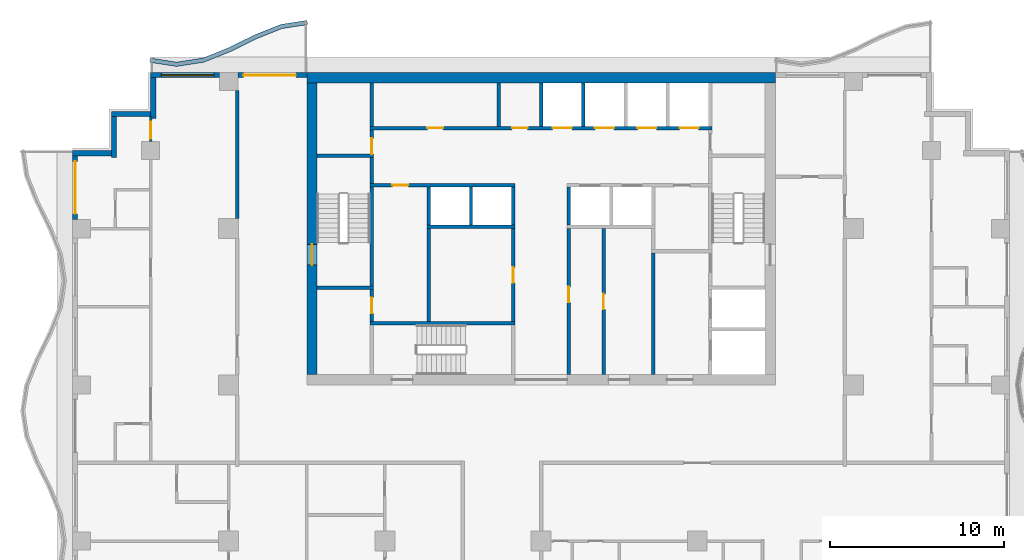
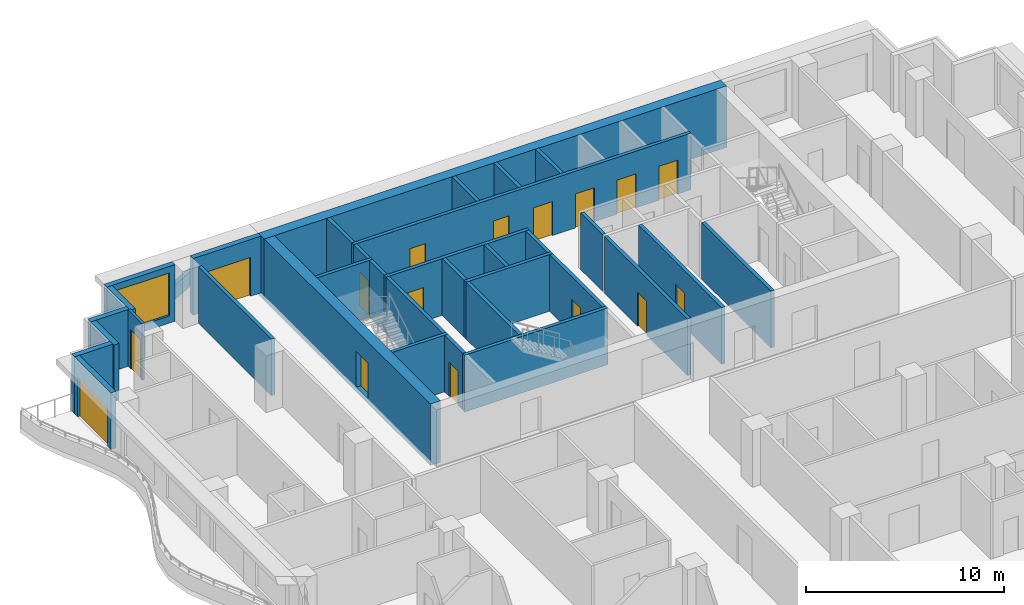
# One storey, part 5 of 11: 35 walls, 16 doors, 1 window, 17 openings.
"""IFC4 building model written with IfcOpenShell, lengths in metres."""

import ifcopenshell
import ifcopenshell.guid

model = None  # the IFC model being written
_history = None  # IfcOwnerHistory: only IFC2X3 demands one
_inside = {}  # id of a spatial element -> (the spatial element, [elements in it])
_under = {}  # id of a project, library or spatial element -> (it, [spatial elements below it])
_declared = {}  # id of a project -> (the project, [libraries it declares])
_typed = {}  # id of a type object -> (the type object, [elements of that type])
_made_of = {}  # id of a material, layer set ... -> (it, [elements and type objects made of it])


def new_model(schema):
    """Start an empty IFC model of exactly this schema.

    Asked for "IFC4X3", IfcOpenShell would pick the latest addendum, in which some entities
    have other attributes; the version numbers below select the first issue.
    IFC2X3 requires an IfcOwnerHistory on every rooted entity: one is made here for all.
    """
    global model, _history
    if schema == "IFC4X3":
        model = ifcopenshell.file(schema_version=(4, 3, 0, 0))
    else:
        model = ifcopenshell.file(schema=schema)
    _inside.clear()
    _under.clear()
    _declared.clear()
    _typed.clear()
    _made_of.clear()
    _history = None
    if model.schema == "IFC2X3":
        org = make("IfcOrganization", Name="unknown")
        user = make(
            "IfcPersonAndOrganization",
            ThePerson=make("IfcPerson", FamilyName="unknown"),
            TheOrganization=org,
        )
        app = make(
            "IfcApplication",
            ApplicationDeveloper=org,
            Version="unknown",
            ApplicationFullName="unknown",
            ApplicationIdentifier="unknown",
        )
        _history = make(
            "IfcOwnerHistory",
            OwningUser=user,
            OwningApplication=app,
            ChangeAction="ADDED",
            CreationDate=0,
        )
    return model


def make(cls, **values):
    """One entity of the class cls with the attributes given. An attribute that is None is left unset."""
    return model.create_entity(
        cls, **{name: value for name, value in values.items() if value is not None}
    )


def rooted(cls, **values):
    """An entity with a GlobalId (a new one), such as an element, a storey or a relation."""
    return make(cls, GlobalId=ifcopenshell.guid.new(), OwnerHistory=_history, **values)


def si_unit(unit_type, name, prefix=None):
    """IfcSIUnit, for example si_unit("LENGTHUNIT", "METRE", prefix="MILLI")."""
    return make("IfcSIUnit", UnitType=unit_type, Prefix=prefix, Name=name)


def assignment(units):
    """IfcUnitAssignment: the units of a project."""
    return None if units is None else make("IfcUnitAssignment", Units=units)


def point(xyz):
    """IfcCartesianPoint."""
    return None if xyz is None else make("IfcCartesianPoint", Coordinates=xyz)


def direction(xyz):
    """IfcDirection."""
    return None if xyz is None else make("IfcDirection", DirectionRatios=xyz)


def frame(location, z_axis=None, x_axis=None):
    """IfcAxis2Placement3D, a coordinate frame: its origin and axes. An axis left out is left unset."""
    return make(
        "IfcAxis2Placement3D",
        Location=point(location),
        Axis=direction(z_axis),
        RefDirection=direction(x_axis),
    )


def frame_2d(location, x_axis=None):
    """IfcAxis2Placement2D, a coordinate frame in the plane: its origin and x axis."""
    return make(
        "IfcAxis2Placement2D", Location=point(location), RefDirection=direction(x_axis)
    )


def origin():
    """The frame at (0, 0, 0) with its axes left unset."""
    return frame((0.0, 0.0, 0.0))


def place(relative_to, where):
    """IfcLocalPlacement: puts the frame where relative to a parent placement (None: the world)."""
    return make(
        "IfcLocalPlacement", PlacementRelTo=relative_to, RelativePlacement=where
    )


def context(
    kind, dimensions, precision=None, world=None, true_north=None, identifier=None
):
    """IfcGeometricRepresentationContext, for example the 3D "Model" context."""
    return make(
        "IfcGeometricRepresentationContext",
        ContextIdentifier=identifier,
        ContextType=kind,
        CoordinateSpaceDimension=dimensions,
        Precision=precision,
        WorldCoordinateSystem=world,
        TrueNorth=true_north,
    )


def subcontext(parent, identifier, kind, view, scale=None):
    """IfcGeometricRepresentationSubContext, for example "Body" below "Model"."""
    return make(
        "IfcGeometricRepresentationSubContext",
        ContextIdentifier=identifier,
        ContextType=kind,
        ParentContext=parent,
        TargetScale=scale,
        TargetView=view,
    )


def project(units=None, contexts=None):
    """IfcProject with its units and contexts."""
    return rooted(
        "IfcProject",
        Name="project",
        RepresentationContexts=contexts,
        UnitsInContext=assignment(units),
    )


def spatial(cls, under=None, at=None, **own):
    """A site, building, storey or space (cls), placed at a placement, below another one or the project."""
    s = rooted(cls, ObjectPlacement=at, **own)
    if under is not None:
        _under.setdefault(under.id(), (under, []))[1].append(s)
    return s


def polyline(points):
    """IfcPolyline through the points."""
    return make("IfcPolyline", Points=[point(p) for p in points])


def profile(cls, at=None, kind="AREA", **sizes):
    """A parametric profile (cls). Its sizes go by their IFC names, for example OverallWidth=200.0."""
    return make(cls, ProfileType=kind, Position=at, **sizes)


def rectangle(**sizes):
    """IfcRectangleProfileDef."""
    return profile("IfcRectangleProfileDef", **sizes)


def outline(outer, holes=None, kind="AREA"):
    """IfcArbitraryClosedProfileDef: a profile drawn as a closed curve; with holes, ...WithVoids."""
    if holes is None:
        return make("IfcArbitraryClosedProfileDef", ProfileType=kind, OuterCurve=outer)
    return make(
        "IfcArbitraryProfileDefWithVoids",
        ProfileType=kind,
        OuterCurve=outer,
        InnerCurves=holes,
    )


def extrude(swept, where, along, depth):
    """IfcExtrudedAreaSolid: the profile swept, set in the frame where, extruded along a direction by depth."""
    return make(
        "IfcExtrudedAreaSolid",
        SweptArea=swept,
        Position=where,
        ExtrudedDirection=direction(along),
        Depth=depth,
    )


def shape(context_of_items, identifier, shape_type, items):
    """IfcShapeRepresentation: the items that make up one representation, for example the "Body"."""
    return make(
        "IfcShapeRepresentation",
        ContextOfItems=context_of_items,
        RepresentationIdentifier=identifier,
        RepresentationType=shape_type,
        Items=items,
    )


def material(Name=None, Category=None):
    """IfcMaterial."""
    return make("IfcMaterial", Name=Name, Category=Category)


def layer(
    of_material, thickness, ventilated=None, Name=None, Category=None, Priority=None
):
    """IfcMaterialLayer: one layer of a wall or slab, of a material (None: an air gap)."""
    return make(
        "IfcMaterialLayer",
        Material=of_material,
        LayerThickness=thickness,
        IsVentilated=ventilated,
        Name=Name,
        Category=Category,
        Priority=Priority,
    )


def layer_set(layers, Name=None):
    """IfcMaterialLayerSet."""
    return make("IfcMaterialLayerSet", MaterialLayers=layers, LayerSetName=Name)


def made_of(thing, what):
    """Note that an element or type object is made of a material, layer set ...; save() writes the relation."""
    if what is not None:
        _made_of.setdefault(what.id(), (what, []))[1].append(thing)
    return thing


def type_object(cls, material=None, **own):
    """A type object (cls), such as IfcWallType, which elements share."""
    return made_of(rooted(cls, **own), material)


def element(
    cls,
    number,
    at=None,
    inside=None,
    cuts=None,
    type_object=None,
    material=None,
    context=None,
    identifier="Body",
    shape_type=None,
    held_by="IfcProductDefinitionShape",
    body=None,
    shapes=None,
    **own,
):
    """One element of the class cls, such as IfcWall. Its Tag is "e" and its number.

    at: its placement. inside: the storey or other place that contains it. cuts: it is an
    opening in that element (IfcRelVoidsElement). A single representation is given by context,
    identifier, shape_type and body (its items); several are given by shapes. held_by: the class
    of the entity that holds the representations. save() writes the other relations.
    """
    e = rooted(cls, Tag="e%d" % number, ObjectPlacement=at, **own)
    if body is not None:
        shapes = [shape(context, identifier, shape_type, body)]
    if shapes is not None:
        e.Representation = make(held_by, Representations=shapes)
    if inside is not None:
        _inside.setdefault(inside.id(), (inside, []))[1].append(e)
    if cuts is not None:
        rooted(
            "IfcRelVoidsElement", RelatingBuildingElement=cuts, RelatedOpeningElement=e
        )
    if type_object is not None:
        _typed.setdefault(type_object.id(), (type_object, []))[1].append(e)
    return made_of(e, material)


def fill(opening, filler):
    """IfcRelFillsElement: the door or window that sits in an opening."""
    return rooted(
        "IfcRelFillsElement",
        RelatingOpeningElement=opening,
        RelatedBuildingElement=filler,
    )


def aggregate(whole, parts):
    """IfcRelAggregates: a whole, such as a stair, and the parts it consists of."""
    return rooted("IfcRelAggregates", RelatingObject=whole, RelatedObjects=parts)


def save(model, path):
    """Write the relations noted so far, then the file.

    IfcRelAggregates (storeys below a building ...), IfcRelContainedInSpatialStructure (elements
    in a storey), IfcRelDefinesByType, IfcRelAssociatesMaterial and IfcRelDeclares: one each for
    every whole, place, type object, material and project.
    """
    for whole, parts in _under.values():
        aggregate(whole, parts)
    for where, things in _inside.values():
        rooted(
            "IfcRelContainedInSpatialStructure",
            RelatedElements=things,
            RelatingStructure=where,
        )
    for kind, things in _typed.values():
        rooted("IfcRelDefinesByType", RelatedObjects=things, RelatingType=kind)
    for what, things in _made_of.values():
        rooted("IfcRelAssociatesMaterial", RelatedObjects=things, RelatingMaterial=what)
    for by, libraries in _declared.values():
        rooted("IfcRelDeclares", RelatingContext=by, RelatedDefinitions=libraries)
    model.write(path)


model = new_model("IFC4")

# Units and contexts
model_context = context("Model", 3, precision=1e-05, world=origin(), true_north=direction((0.0, 1.0)))
body_context = subcontext(model_context, "Body", "Model", "MODEL_VIEW")
ifc_project = project(units=[si_unit("LENGTHUNIT", "METRE"), si_unit("AREAUNIT", "SQUARE_METRE"), si_unit("VOLUMEUNIT", "CUBIC_METRE"), si_unit("PLANEANGLEUNIT", "RADIAN"), si_unit("MASSUNIT", "GRAM", prefix="KILO")], contexts=[model_context])

# Site, building, storey
site_placement = place(None, origin())
site = spatial("IfcSite", under=ifc_project, at=site_placement, CompositionType="ELEMENT")
building_placement = place(site_placement, origin())
building = spatial("IfcBuilding", under=site, at=building_placement, Name="Orbiselva Terraces", CompositionType="ELEMENT")
storey_placement = place(building_placement, frame((0.0, 0.0, 188.2)))
storey = spatial("IfcBuildingStorey", under=building, at=storey_placement, Name="L47", CompositionType="ELEMENT", Elevation=188.2)

# Wall, opening, door
ifc_material_1 = material(Name="Concrete C80/95", Category="concrete")
ifc_layer_1 = layer(ifc_material_1, 0.6)
ifc_layer_set_1 = layer_set([ifc_layer_1], Name="Concrete C80/95")
wall_type_1 = type_object("IfcWallType", Name="CORE WALL 600", PredefinedType="SHEAR", material=ifc_layer_set_1)
wall_1_placement = place(storey_placement, frame((-13.2, 21.9, -0.3), z_axis=(0.0, 0.0, 1.0), x_axis=(0.0, -1.0, 0.0)))
wall_1 = element("IfcWall", 1, at=wall_1_placement, inside=storey, type_object=wall_type_1, Name="Core wall L47 west", PredefinedType="SHEAR", context=body_context, shape_type="SweptSolid", body=[
    extrude(rectangle(XDim=16.8, YDim=0.6, at=frame_2d((8.4, 0.0))), origin(), (0.0, 0.0, 1.0), 3.8),
])
opening_1_placement = place(wall_1_placement, frame((9.3, 0.0, 0.3)))
opening_1 = element("IfcOpeningElement", 2, at=opening_1_placement, cuts=wall_1, Name="Opening DS1200", PredefinedType="OPENING", context=body_context, shape_type="SweptSolid", body=[
    extrude(rectangle(XDim=1.2, YDim=2.2, at=frame_2d((0.6, 1.1))), frame((0.0, 0.31, 0.0), z_axis=(0.0, -1.0, 0.0), x_axis=(1.0, 0.0, 0.0)), (0.0, 0.0, 1.0), 0.62),
])
ifc_material_2 = material(Name="Steel fire door", Category="steel")
door_type_1 = type_object("IfcDoorType", Name="STAIR DOOR 1200", OperationType="NOTDEFINED", PredefinedType="DOOR", material=ifc_material_2)
door_1_placement = place(opening_1_placement, frame((1.2, 0.0, 0.0), z_axis=(0.0, 0.0, 1.0), x_axis=(-1.0, 0.0, 0.0)))
door_1 = element("IfcDoor", 3, at=door_1_placement, inside=storey, type_object=door_type_1, Name="L47 EXIT STAIR S1 door", OperationType="SINGLE_SWING_RIGHT", OverallHeight=2.2, OverallWidth=1.2, PredefinedType="DOOR", context=body_context, shape_type="SweptSolid", body=[
    extrude(rectangle(XDim=1.2, YDim=2.2, at=frame_2d((0.6, 1.1))), frame((0.0, 0.025, 0.0), z_axis=(0.0, -1.0, 0.0), x_axis=(1.0, 0.0, 0.0)), (0.0, 0.0, 1.0), 0.05),
])
fill(opening_1, door_1)

# Wall
ifc_layer_2 = layer(ifc_material_1, 0.6)
ifc_layer_set_2 = layer_set([ifc_layer_2], Name="Concrete C80/95")
wall_type_2 = type_object("IfcWallType", Name="CORE WALL 600 EXTERNAL", PredefinedType="SHEAR", material=ifc_layer_set_2)
wall_2_placement = place(storey_placement, frame((13.5, 22.2, -0.3), z_axis=(0.0, 0.0, 1.0), x_axis=(-1.0, 0.0, 0.0)))
element("IfcWall", 4, at=wall_2_placement, inside=storey, type_object=wall_type_2, Name="Core wall L47 north", PredefinedType="SHEAR", context=body_context, shape_type="SweptSolid", body=[
    extrude(rectangle(XDim=27.0, YDim=0.6, at=frame_2d((13.5, 0.0))), origin(), (0.0, 0.0, 1.0), 3.8),
])

# Wall, opening, door
ifc_material_3 = material(Name="Masonry blockwork", Category="masonry")
ifc_layer_3 = layer(ifc_material_3, 0.2)
ifc_layer_set_3 = layer_set([ifc_layer_3], Name="Masonry blockwork")
wall_type_3 = type_object("IfcWallType", Name="CORE-WALL-PARTITION-200", PredefinedType="PARTITIONING", material=ifc_layer_set_3)
wall_3_placement = place(storey_placement, frame((-9.75, 8.15, 0.0), z_axis=(0.0, 0.0, 1.0), x_axis=(0.0, 1.0, 0.0)))
wall_3 = element("IfcWall", 5, at=wall_3_placement, inside=storey, type_object=wall_type_3, Name="L47 core wall 05", PredefinedType="PARTITIONING", context=body_context, shape_type="SweptSolid", body=[
    extrude(rectangle(XDim=1.85, YDim=0.2, at=frame_2d((0.925, 0.0))), origin(), (0.0, 0.0, 1.0), 3.5),
])
opening_2_placement = place(wall_3_placement, frame((0.475, 0.0, 0.0)))
opening_2 = element("IfcOpeningElement", 6, at=opening_2_placement, cuts=wall_3, Name="Opening DR900", PredefinedType="OPENING", context=body_context, shape_type="SweptSolid", body=[
    extrude(rectangle(XDim=0.9, YDim=2.1, at=frame_2d((0.45, 1.05))), frame((0.0, 0.11, 0.0), z_axis=(0.0, -1.0, 0.0), x_axis=(1.0, 0.0, 0.0)), (0.0, 0.0, 1.0), 0.22),
])
door_type_2 = type_object("IfcDoorType", Name="ROOM DOOR 900", OperationType="NOTDEFINED", PredefinedType="DOOR", material=ifc_material_2)
door_2_placement = place(opening_2_placement, origin())
door_2 = element("IfcDoor", 7, at=door_2_placement, inside=storey, type_object=door_type_2, Name="L47 STAFF WC door", OperationType="SINGLE_SWING_RIGHT", OverallHeight=2.1, OverallWidth=0.9, PredefinedType="DOOR", context=body_context, shape_type="SweptSolid", body=[
    extrude(rectangle(XDim=0.9, YDim=2.1, at=frame_2d((0.45, 1.05))), frame((0.0, 0.025, 0.0), z_axis=(0.0, -1.0, 0.0), x_axis=(1.0, 0.0, 0.0)), (0.0, 0.0, 1.0), 0.05),
])
fill(opening_2, door_2)

wall_4_placement = place(storey_placement, frame((-9.75, 17.8, 0.0), z_axis=(0.0, 0.0, 1.0), x_axis=(0.0, 1.0, 0.0)))
wall_4 = element("IfcWall", 8, at=wall_4_placement, inside=storey, type_object=wall_type_3, Name="L47 core wall 09", PredefinedType="PARTITIONING", context=body_context, shape_type="SweptSolid", body=[
    extrude(rectangle(XDim=1.4, YDim=0.2, at=frame_2d((0.7, 0.0))), origin(), (0.0, 0.0, 1.0), 3.5),
])
opening_3_placement = place(wall_4_placement, origin())
opening_3 = element("IfcOpeningElement", 9, at=opening_3_placement, cuts=wall_4, Name="Opening DR900", PredefinedType="OPENING", context=body_context, shape_type="SweptSolid", body=[
    extrude(rectangle(XDim=0.9, YDim=2.1, at=frame_2d((0.45, 1.05))), frame((0.0, 0.11, 0.0), z_axis=(0.0, -1.0, 0.0), x_axis=(1.0, 0.0, 0.0)), (0.0, 0.0, 1.0), 0.22),
])
door_3_placement = place(opening_3_placement, origin())
door_3 = element("IfcDoor", 10, at=door_3_placement, inside=storey, type_object=door_type_2, Name="L47 ELECTRICAL RISER ROOM door", OperationType="SINGLE_SWING_LEFT", OverallHeight=2.1, OverallWidth=0.9, PredefinedType="DOOR", context=body_context, shape_type="SweptSolid", body=[
    extrude(rectangle(XDim=0.9, YDim=2.1, at=frame_2d((0.45, 1.05))), frame((0.0, 0.025, 0.0), z_axis=(0.0, -1.0, 0.0), x_axis=(1.0, 0.0, 0.0)), (0.0, 0.0, 1.0), 0.05),
])
fill(opening_3, door_3)

# Walls
wall_5_placement = place(storey_placement, frame((-9.75, 19.4, 0.0), z_axis=(0.0, 0.0, 1.0), x_axis=(0.0, 1.0, 0.0)))
element("IfcWall", 11, at=wall_5_placement, inside=storey, type_object=wall_type_3, Name="L47 core wall 11", PredefinedType="PARTITIONING", context=body_context, shape_type="SweptSolid", body=[
    extrude(rectangle(XDim=2.5, YDim=0.2, at=frame_2d((1.25, 0.0))), origin(), (0.0, 0.0, 1.0), 3.5),
])
wall_6_placement = place(storey_placement, frame((-6.475, 8.15, 0.0), z_axis=(0.0, 0.0, 1.0), x_axis=(0.0, 1.0, 0.0)))
element("IfcWall", 12, at=wall_6_placement, inside=storey, type_object=wall_type_3, Name="L47 core wall 12", PredefinedType="PARTITIONING", context=body_context, shape_type="SweptSolid", body=[
    extrude(rectangle(XDim=5.35, YDim=0.2, at=frame_2d((2.675, 0.0))), origin(), (0.0, 0.0, 1.0), 3.5),
])
wall_7_placement = place(storey_placement, frame((-2.4375, 19.4, 0.0), z_axis=(0.0, 0.0, 1.0), x_axis=(0.0, 1.0, 0.0)))
element("IfcWall", 13, at=wall_7_placement, inside=storey, type_object=wall_type_3, Name="L47 core wall 16", PredefinedType="PARTITIONING", context=body_context, shape_type="SweptSolid", body=[
    extrude(rectangle(XDim=2.5, YDim=0.2, at=frame_2d((1.25, 0.0))), origin(), (0.0, 0.0, 1.0), 3.5),
])

# Wall, opening, door
wall_8_placement = place(storey_placement, frame((3.6, 13.5, 0.0), z_axis=(0.0, 0.0, 1.0), x_axis=(0.0, -1.0, 0.0)))
wall_8 = element("IfcWall", 14, at=wall_8_placement, inside=storey, type_object=wall_type_3, Name="L47 core wall 26", PredefinedType="PARTITIONING", context=body_context, shape_type="SweptSolid", body=[
    extrude(rectangle(XDim=8.4, YDim=0.2, at=frame_2d((4.2, 0.0))), origin(), (0.0, 0.0, 1.0), 3.5),
])
opening_4_placement = place(wall_8_placement, frame((3.75, 0.0, 0.0)))
opening_4 = element("IfcOpeningElement", 15, at=opening_4_placement, cuts=wall_8, Name="Opening DR900", PredefinedType="OPENING", context=body_context, shape_type="SweptSolid", body=[
    extrude(rectangle(XDim=0.9, YDim=2.1, at=frame_2d((0.45, 1.05))), frame((0.0, 0.11, 0.0), z_axis=(0.0, -1.0, 0.0), x_axis=(1.0, 0.0, 0.0)), (0.0, 0.0, 1.0), 0.22),
])
door_4_placement = place(opening_4_placement, origin())
door_4 = element("IfcDoor", 16, at=door_4_placement, inside=storey, type_object=door_type_2, Name="L47 SERVICE ROOM door", OperationType="SINGLE_SWING_RIGHT", OverallHeight=2.1, OverallWidth=0.9, PredefinedType="DOOR", context=body_context, shape_type="SweptSolid", body=[
    extrude(rectangle(XDim=0.9, YDim=2.1, at=frame_2d((0.45, 1.05))), frame((0.0, 0.025, 0.0), z_axis=(0.0, -1.0, 0.0), x_axis=(1.0, 0.0, 0.0)), (0.0, 0.0, 1.0), 0.05),
])
fill(opening_4, door_4)

# Walls
ifc_material_4 = material(Name="Concrete C40/50", Category="concrete")
ifc_layer_4 = layer(ifc_material_4, 0.2)
ifc_layer_set_4 = layer_set([ifc_layer_4], Name="Concrete C40/50")
wall_type_4 = type_object("IfcWallType", Name="CORE-WALL-SHAFT-200", PredefinedType="PARTITIONING", material=ifc_layer_set_4)
for number, where, z_axis, x_axis, name in (
    (17, (-6.475, 13.7, 0.0), (0.0, 0.0, 1.0), (0.0, 1.0, 0.0), "L47 core wall 14"),
    (18, (-4.0375, 13.7, 0.0), (0.0, 0.0, 1.0), (0.0, 1.0, 0.0), "L47 core wall 15"),
    (19, (-1.6, 13.7, 0.0), (0.0, 0.0, 1.0), (0.0, 1.0, 0.0), "L47 core wall 19"),
):
    element("IfcWall", number, at=place(storey_placement, frame(where, z_axis=z_axis, x_axis=x_axis)), inside=storey, type_object=wall_type_4, Name=name, PredefinedType="PARTITIONING", context=body_context, shape_type="SweptSolid", body=[
        extrude(rectangle(XDim=2.2, YDim=0.2, at=frame_2d((1.1, 0.0))), origin(), (0.0, 0.0, 1.0), 3.5),
    ])
wall_9_placement = place(storey_placement, frame((0.0, 19.4, 0.0), z_axis=(0.0, 0.0, 1.0), x_axis=(0.0, 1.0, 0.0)))
element("IfcWall", 20, at=wall_9_placement, inside=storey, type_object=wall_type_4, Name="L47 core wall 20", PredefinedType="PARTITIONING", context=body_context, shape_type="SweptSolid", body=[
    extrude(rectangle(XDim=2.5, YDim=0.2, at=frame_2d((1.25, 0.0))), origin(), (0.0, 0.0, 1.0), 3.5),
])
wall_10_placement = place(storey_placement, frame((1.6, 13.7, 0.0), z_axis=(0.0, 0.0, 1.0), x_axis=(0.0, 1.0, 0.0)))
element("IfcWall", 21, at=wall_10_placement, inside=storey, type_object=wall_type_4, Name="L47 core wall 23", PredefinedType="PARTITIONING", context=body_context, shape_type="SweptSolid", body=[
    extrude(rectangle(XDim=2.2, YDim=0.2, at=frame_2d((1.1, 0.0))), origin(), (0.0, 0.0, 1.0), 3.5),
])
wall_11_placement = place(storey_placement, frame((2.4375, 19.4, 0.0), z_axis=(0.0, 0.0, 1.0), x_axis=(0.0, 1.0, 0.0)))
element("IfcWall", 22, at=wall_11_placement, inside=storey, type_object=wall_type_4, Name="L47 core wall 25", PredefinedType="PARTITIONING", context=body_context, shape_type="SweptSolid", body=[
    extrude(rectangle(XDim=2.5, YDim=0.2, at=frame_2d((1.25, 0.0))), origin(), (0.0, 0.0, 1.0), 3.5),
])
ifc_material_5 = material(Name="Concrete C60/75", Category="concrete")
ifc_layer_5 = layer(ifc_material_5, 0.2)
ifc_layer_set_5 = layer_set([ifc_layer_5], Name="Concrete C60/75")
wall_type_5 = type_object("IfcWallType", Name="CORE-WALL-SHEAR-200", PredefinedType="SHEAR", material=ifc_layer_set_5)
for number, where, z_axis, x_axis, name in (
    (23, (-12.9, 10.1, 0.0), (0.0, 0.0, 1.0), (1.0, 0.0, 0.0), "L47 core wall 01"),
    (24, (-12.9, 17.7, 0.0), (0.0, 0.0, 1.0), (1.0, 0.0, 0.0), "L47 core wall 02"),
):
    element("IfcWall", number, at=place(storey_placement, frame(where, z_axis=z_axis, x_axis=x_axis)), inside=storey, type_object=wall_type_5, Name=name, PredefinedType="SHEAR", context=body_context, shape_type="SweptSolid", body=[
        extrude(rectangle(XDim=3.25, YDim=0.2, at=frame_2d((1.625, 0.0))), origin(), (0.0, 0.0, 1.0), 3.5),
    ])
wall_12_placement = place(storey_placement, frame((-9.85, 8.05, 0.0), z_axis=(0.0, 0.0, 1.0), x_axis=(1.0, 0.0, 0.0)))
element("IfcWall", 25, at=wall_12_placement, inside=storey, type_object=wall_type_5, Name="L47 core wall 04", PredefinedType="SHEAR", context=body_context, shape_type="SweptSolid", body=[
    extrude(rectangle(XDim=8.35, YDim=0.2, at=frame_2d((4.175, 0.0))), origin(), (0.0, 0.0, 1.0), 3.5),
])
wall_13_placement = place(storey_placement, frame((-9.75, 10.2, 0.0), z_axis=(0.0, 0.0, 1.0), x_axis=(0.0, 1.0, 0.0)))
element("IfcWall", 26, at=wall_13_placement, inside=storey, type_object=wall_type_5, Name="L47 core wall 06", PredefinedType="SHEAR", context=body_context, shape_type="SweptSolid", body=[
    extrude(rectangle(XDim=5.7, YDim=0.2, at=frame_2d((2.85, 0.0))), origin(), (0.0, 0.0, 1.0), 3.5),
])

# Wall, opening, door
wall_14_placement = place(storey_placement, frame((-1.5, 16.0, 0.0), z_axis=(0.0, 0.0, 1.0), x_axis=(-1.0, 0.0, 0.0)))
wall_14 = element("IfcWall", 27, at=wall_14_placement, inside=storey, type_object=wall_type_5, Name="L47 core wall 07", PredefinedType="SHEAR", context=body_context, shape_type="SweptSolid", body=[
    extrude(rectangle(XDim=8.35, YDim=0.2, at=frame_2d((4.175, 0.0))), origin(), (0.0, 0.0, 1.0), 3.5),
])
opening_5_placement = place(wall_14_placement, frame((6.1625, 0.0, 0.0)))
opening_5 = element("IfcOpeningElement", 28, at=opening_5_placement, cuts=wall_14, Name="Opening DR900", PredefinedType="OPENING", context=body_context, shape_type="SweptSolid", body=[
    extrude(rectangle(XDim=0.9, YDim=2.1, at=frame_2d((0.45, 1.05))), frame((0.0, 0.11, 0.0), z_axis=(0.0, -1.0, 0.0), x_axis=(1.0, 0.0, 0.0)), (0.0, 0.0, 1.0), 0.22),
])
door_5_placement = place(opening_5_placement, origin())
door_5 = element("IfcDoor", 29, at=door_5_placement, inside=storey, type_object=door_type_2, Name="L47 STAFF PANTRY door", OperationType="SINGLE_SWING_RIGHT", OverallHeight=2.1, OverallWidth=0.9, PredefinedType="DOOR", context=body_context, shape_type="SweptSolid", body=[
    extrude(rectangle(XDim=0.9, YDim=2.1, at=frame_2d((0.45, 1.05))), frame((0.0, 0.025, 0.0), z_axis=(0.0, -1.0, 0.0), x_axis=(1.0, 0.0, 0.0)), (0.0, 0.0, 1.0), 0.05),
])
fill(opening_5, door_5)

# Wall
wall_15_placement = place(storey_placement, frame((-9.75, 16.1, 0.0), z_axis=(0.0, 0.0, 1.0), x_axis=(0.0, 1.0, 0.0)))
element("IfcWall", 30, at=wall_15_placement, inside=storey, type_object=wall_type_5, Name="L47 core wall 08", PredefinedType="SHEAR", context=body_context, shape_type="SweptSolid", body=[
    extrude(rectangle(XDim=1.5, YDim=0.2, at=frame_2d((0.75, 0.0))), origin(), (0.0, 0.0, 1.0), 3.5),
])

# Wall, openings, doors
wall_16_placement = place(storey_placement, frame((-9.85, 19.3, 0.0), z_axis=(0.0, 0.0, 1.0), x_axis=(1.0, 0.0, 0.0)))
wall_16 = element("IfcWall", 31, at=wall_16_placement, inside=storey, type_object=wall_type_5, Name="L47 core wall 10", PredefinedType="SHEAR", context=body_context, shape_type="SweptSolid", body=[
    extrude(rectangle(XDim=19.7, YDim=0.2, at=frame_2d((9.85, 0.0))), origin(), (0.0, 0.0, 1.0), 3.5),
])
opening_6_placement = place(wall_16_placement, frame((10.51875, 0.0, 0.0)))
opening_6 = element("IfcOpeningElement", 32, at=opening_6_placement, cuts=wall_16, Name="Opening LD-HR1", PredefinedType="OPENING", context=body_context, shape_type="SweptSolid", body=[
    extrude(rectangle(XDim=1.1, YDim=2.1, at=frame_2d((0.55, 1.05))), frame((0.0, 0.11, 0.0), z_axis=(0.0, -1.0, 0.0), x_axis=(1.0, 0.0, 0.0)), (0.0, 0.0, 1.0), 0.22),
])
opening_7_placement = place(wall_16_placement, frame((12.95625, 0.0, 0.0)))
opening_7 = element("IfcOpeningElement", 33, at=opening_7_placement, cuts=wall_16, Name="Opening LD-HR2", PredefinedType="OPENING", context=body_context, shape_type="SweptSolid", body=[
    extrude(rectangle(XDim=1.1, YDim=2.1, at=frame_2d((0.55, 1.05))), frame((0.0, 0.11, 0.0), z_axis=(0.0, -1.0, 0.0), x_axis=(1.0, 0.0, 0.0)), (0.0, 0.0, 1.0), 0.22),
])
opening_8_placement = place(wall_16_placement, frame((15.39375, 0.0, 0.0)))
opening_8 = element("IfcOpeningElement", 34, at=opening_8_placement, cuts=wall_16, Name="Opening LD-HR3", PredefinedType="OPENING", context=body_context, shape_type="SweptSolid", body=[
    extrude(rectangle(XDim=1.1, YDim=2.1, at=frame_2d((0.55, 1.05))), frame((0.0, 0.11, 0.0), z_axis=(0.0, -1.0, 0.0), x_axis=(1.0, 0.0, 0.0)), (0.0, 0.0, 1.0), 0.22),
])
opening_9_placement = place(wall_16_placement, frame((17.83125, 0.0, 0.0)))
opening_9 = element("IfcOpeningElement", 35, at=opening_9_placement, cuts=wall_16, Name="Opening LD-HR4", PredefinedType="OPENING", context=body_context, shape_type="SweptSolid", body=[
    extrude(rectangle(XDim=1.1, YDim=2.1, at=frame_2d((0.55, 1.05))), frame((0.0, 0.11, 0.0), z_axis=(0.0, -1.0, 0.0), x_axis=(1.0, 0.0, 0.0)), (0.0, 0.0, 1.0), 0.22),
])
opening_10_placement = place(wall_16_placement, frame((3.3062, 0.0, 0.0)))
opening_10 = element("IfcOpeningElement", 36, at=opening_10_placement, cuts=wall_16, Name="Opening DR900", PredefinedType="OPENING", context=body_context, shape_type="SweptSolid", body=[
    extrude(rectangle(XDim=0.9, YDim=2.1, at=frame_2d((0.45, 1.05))), frame((0.0, 0.11, 0.0), z_axis=(0.0, -1.0, 0.0), x_axis=(1.0, 0.0, 0.0)), (0.0, 0.0, 1.0), 0.22),
])
opening_11_placement = place(wall_16_placement, frame((8.1812, 0.0, 0.0)))
opening_11 = element("IfcOpeningElement", 37, at=opening_11_placement, cuts=wall_16, Name="Opening DR900", PredefinedType="OPENING", context=body_context, shape_type="SweptSolid", body=[
    extrude(rectangle(XDim=0.9, YDim=2.1, at=frame_2d((0.45, 1.05))), frame((0.0, 0.11, 0.0), z_axis=(0.0, -1.0, 0.0), x_axis=(1.0, 0.0, 0.0)), (0.0, 0.0, 1.0), 0.22),
])
ifc_material_6 = material(Name="Stainless steel landing door", Category="steel")
door_type_3 = type_object("IfcDoorType", Name="LANDING DOOR 1100", OperationType="SLIDING_TO_LEFT", PredefinedType="DOOR", material=ifc_material_6)
door_6_placement = place(opening_6_placement, origin())
door_6 = element("IfcDoor", 38, at=door_6_placement, inside=storey, type_object=door_type_3, Name="L47 landing door HR1", OperationType="SLIDING_TO_RIGHT", OverallHeight=2.1, OverallWidth=1.1, PredefinedType="DOOR", context=body_context, shape_type="SweptSolid", body=[
    extrude(rectangle(XDim=1.1, YDim=2.1, at=frame_2d((0.55, 1.05))), frame((0.0, 0.025, 0.0), z_axis=(0.0, -1.0, 0.0), x_axis=(1.0, 0.0, 0.0)), (0.0, 0.0, 1.0), 0.05),
])
fill(opening_6, door_6)
door_7_placement = place(opening_7_placement, origin())
door_7 = element("IfcDoor", 39, at=door_7_placement, inside=storey, type_object=door_type_3, Name="L47 landing door HR2", OperationType="SLIDING_TO_RIGHT", OverallHeight=2.1, OverallWidth=1.1, PredefinedType="DOOR", context=body_context, shape_type="SweptSolid", body=[
    extrude(rectangle(XDim=1.1, YDim=2.1, at=frame_2d((0.55, 1.05))), frame((0.0, 0.025, 0.0), z_axis=(0.0, -1.0, 0.0), x_axis=(1.0, 0.0, 0.0)), (0.0, 0.0, 1.0), 0.05),
])
fill(opening_7, door_7)
door_8_placement = place(opening_8_placement, origin())
door_8 = element("IfcDoor", 40, at=door_8_placement, inside=storey, type_object=door_type_3, Name="L47 landing door HR3", OperationType="SLIDING_TO_RIGHT", OverallHeight=2.1, OverallWidth=1.1, PredefinedType="DOOR", context=body_context, shape_type="SweptSolid", body=[
    extrude(rectangle(XDim=1.1, YDim=2.1, at=frame_2d((0.55, 1.05))), frame((0.0, 0.025, 0.0), z_axis=(0.0, -1.0, 0.0), x_axis=(1.0, 0.0, 0.0)), (0.0, 0.0, 1.0), 0.05),
])
fill(opening_8, door_8)
door_9_placement = place(opening_9_placement, origin())
door_9 = element("IfcDoor", 41, at=door_9_placement, inside=storey, type_object=door_type_3, Name="L47 landing door HR4", OperationType="SLIDING_TO_RIGHT", OverallHeight=2.1, OverallWidth=1.1, PredefinedType="DOOR", context=body_context, shape_type="SweptSolid", body=[
    extrude(rectangle(XDim=1.1, YDim=2.1, at=frame_2d((0.55, 1.05))), frame((0.0, 0.025, 0.0), z_axis=(0.0, -1.0, 0.0), x_axis=(1.0, 0.0, 0.0)), (0.0, 0.0, 1.0), 0.05),
])
fill(opening_9, door_9)
door_10_placement = place(opening_10_placement, origin())
door_10 = element("IfcDoor", 42, at=door_10_placement, inside=storey, type_object=door_type_2, Name="L47 HOUSEKEEPING door", OperationType="SINGLE_SWING_LEFT", OverallHeight=2.1, OverallWidth=0.9, PredefinedType="DOOR", context=body_context, shape_type="SweptSolid", body=[
    extrude(rectangle(XDim=0.9, YDim=2.1, at=frame_2d((0.45, 1.05))), frame((0.0, 0.025, 0.0), z_axis=(0.0, -1.0, 0.0), x_axis=(1.0, 0.0, 0.0)), (0.0, 0.0, 1.0), 0.05),
])
fill(opening_10, door_10)
door_11_placement = place(opening_11_placement, origin())
door_11 = element("IfcDoor", 43, at=door_11_placement, inside=storey, type_object=door_type_2, Name="L47 WC door", OperationType="SINGLE_SWING_LEFT", OverallHeight=2.1, OverallWidth=0.9, PredefinedType="DOOR", context=body_context, shape_type="SweptSolid", body=[
    extrude(rectangle(XDim=0.9, YDim=2.1, at=frame_2d((0.45, 1.05))), frame((0.0, 0.025, 0.0), z_axis=(0.0, -1.0, 0.0), x_axis=(1.0, 0.0, 0.0)), (0.0, 0.0, 1.0), 0.05),
])
fill(opening_11, door_11)

# Wall
wall_17_placement = place(storey_placement, frame((-6.575, 13.6, 0.0), z_axis=(0.0, 0.0, 1.0), x_axis=(1.0, 0.0, 0.0)))
element("IfcWall", 44, at=wall_17_placement, inside=storey, type_object=wall_type_5, Name="L47 core wall 13", PredefinedType="SHEAR", context=body_context, shape_type="SweptSolid", body=[
    extrude(rectangle(XDim=5.075, YDim=0.2, at=frame_2d((2.5375, 0.0))), origin(), (0.0, 0.0, 1.0), 3.5),
])

# Wall, opening, door
wall_18_placement = place(storey_placement, frame((-1.6, 8.15, 0.0), z_axis=(0.0, 0.0, 1.0), x_axis=(0.0, 1.0, 0.0)))
wall_18 = element("IfcWall", 45, at=wall_18_placement, inside=storey, type_object=wall_type_5, Name="L47 core wall 18", PredefinedType="SHEAR", context=body_context, shape_type="SweptSolid", body=[
    extrude(rectangle(XDim=5.35, YDim=0.2, at=frame_2d((2.675, 0.0))), origin(), (0.0, 0.0, 1.0), 3.5),
])
opening_12_placement = place(wall_18_placement, frame((2.225, 0.0, 0.0)))
opening_12 = element("IfcOpeningElement", 46, at=opening_12_placement, cuts=wall_18, Name="Opening DR900", PredefinedType="OPENING", context=body_context, shape_type="SweptSolid", body=[
    extrude(rectangle(XDim=0.9, YDim=2.1, at=frame_2d((0.45, 1.05))), frame((0.0, 0.11, 0.0), z_axis=(0.0, -1.0, 0.0), x_axis=(1.0, 0.0, 0.0)), (0.0, 0.0, 1.0), 0.22),
])
door_12_placement = place(opening_12_placement, origin())
door_12 = element("IfcDoor", 47, at=door_12_placement, inside=storey, type_object=door_type_2, Name="L47 HOUSEKEEPING STORE door", OperationType="SINGLE_SWING_RIGHT", OverallHeight=2.1, OverallWidth=0.9, PredefinedType="DOOR", context=body_context, shape_type="SweptSolid", body=[
    extrude(rectangle(XDim=0.9, YDim=2.1, at=frame_2d((0.45, 1.05))), frame((0.0, 0.025, 0.0), z_axis=(0.0, -1.0, 0.0), x_axis=(1.0, 0.0, 0.0)), (0.0, 0.0, 1.0), 0.05),
])
fill(opening_12, door_12)

wall_19_placement = place(storey_placement, frame((1.6, 13.5, 0.0), z_axis=(0.0, 0.0, 1.0), x_axis=(0.0, -1.0, 0.0)))
wall_19 = element("IfcWall", 48, at=wall_19_placement, inside=storey, type_object=wall_type_5, Name="L47 core wall 21", PredefinedType="SHEAR", context=body_context, shape_type="SweptSolid", body=[
    extrude(rectangle(XDim=8.4, YDim=0.2, at=frame_2d((4.2, 0.0))), origin(), (0.0, 0.0, 1.0), 3.5),
])
opening_13_placement = place(wall_19_placement, frame((3.35, 0.0, 0.0)))
opening_13 = element("IfcOpeningElement", 49, at=opening_13_placement, cuts=wall_19, Name="Opening DR900", PredefinedType="OPENING", context=body_context, shape_type="SweptSolid", body=[
    extrude(rectangle(XDim=0.9, YDim=2.1, at=frame_2d((0.45, 1.05))), frame((0.0, 0.11, 0.0), z_axis=(0.0, -1.0, 0.0), x_axis=(1.0, 0.0, 0.0)), (0.0, 0.0, 1.0), 0.22),
])
door_13_placement = place(opening_13_placement, origin())
door_13 = element("IfcDoor", 50, at=door_13_placement, inside=storey, type_object=door_type_2, Name="L47 COMMS ROOM door", OperationType="SINGLE_SWING_LEFT", OverallHeight=2.1, OverallWidth=0.9, PredefinedType="DOOR", context=body_context, shape_type="SweptSolid", body=[
    extrude(rectangle(XDim=0.9, YDim=2.1, at=frame_2d((0.45, 1.05))), frame((0.0, 0.025, 0.0), z_axis=(0.0, -1.0, 0.0), x_axis=(1.0, 0.0, 0.0)), (0.0, 0.0, 1.0), 0.05),
])
fill(opening_13, door_13)

# Walls
wall_20_placement = place(storey_placement, frame((6.475, 5.1, 0.0), z_axis=(0.0, 0.0, 1.0), x_axis=(0.0, 1.0, 0.0)))
element("IfcWall", 51, at=wall_20_placement, inside=storey, type_object=wall_type_5, Name="L47 core wall 29", PredefinedType="SHEAR", context=body_context, shape_type="SweptSolid", body=[
    extrude(rectangle(XDim=7.0, YDim=0.2, at=frame_2d((3.5, 0.0))), origin(), (0.0, 0.0, 1.0), 3.5),
])
ifc_layer_6 = layer(ifc_material_4, 0.25)
ifc_layer_set_6 = layer_set([ifc_layer_6], Name="Concrete C40/50")
wall_type_6 = type_object("IfcWallType", Name="ENV-PLANTER-250x900", PredefinedType="USERDEFINED", material=ifc_layer_set_6)
wall_21_placement = place(storey_placement, origin())
element("IfcWall", 52, at=wall_21_placement, inside=storey, type_object=wall_type_6, Name="Balcony planter L47 NW", ObjectType="PLANTER", PredefinedType="USERDEFINED", context=body_context, shape_type="SweptSolid", body=[
    extrude(outline(polyline([(-13.5, 25.5), (-15.0, 25.27082), (-16.5, 24.67082), (-18.0, 23.92918), (-19.5, 23.32918), (-21.0, 23.1), (-22.5, 23.32918), (-22.537758, 23.082048), (-21.0, 22.847099), (-19.433834, 23.086388), (-17.898017, 23.700715), (-16.398017, 24.442355), (-14.933834, 25.028028), (-13.462242, 25.252868), (-13.5, 25.5)])), origin(), (0.0, 0.0, 1.0), 0.9),
])

# Wall, opening, door
ifc_material_7 = material(Name="Terracotta cladding on masonry backing", Category="masonry")
ifc_layer_7 = layer(ifc_material_7, 0.3)
ifc_layer_set_7 = layer_set([ifc_layer_7], Name="Terracotta cladding on masonry backing")
wall_type_7 = type_object("IfcWallType", Name="ENV-WALL-TERRACOTTA-300", PredefinedType="SOLIDWALL", material=ifc_layer_set_7)
wall_22_placement = place(storey_placement, frame((-17.475, 22.35, 0.0), z_axis=(0.0, 0.0, 1.0), x_axis=(1.0, 0.0, 0.0)))
wall_22 = element("IfcWall", 53, at=wall_22_placement, inside=storey, type_object=wall_type_7, Name="Facade wall L47 NW", PredefinedType="SOLIDWALL", context=body_context, shape_type="SweptSolid", body=[
    extrude(rectangle(XDim=3.975, YDim=0.3, at=frame_2d((1.9875, 0.0))), origin(), (0.0, 0.0, 1.0), 3.5),
])
opening_14_placement = place(wall_22_placement, frame((0.325, 0.0, 0.0)))
opening_14 = element("IfcOpeningElement", 54, at=opening_14_placement, cuts=wall_22, Name="Opening Z4-A-E10", PredefinedType="OPENING", context=body_context, shape_type="SweptSolid", body=[
    extrude(rectangle(XDim=3.025, YDim=2.4, at=frame_2d((1.5125, 1.2))), frame((0.0, 0.16, 0.0), z_axis=(0.0, -1.0, 0.0), x_axis=(1.0, 0.0, 0.0)), (0.0, 0.0, 1.0), 0.32),
])
ifc_material_8 = material(Name="Clear low-e glazing in aluminium frame", Category="aluminium")
door_type_4 = type_object("IfcDoorType", Name="BALCONY DOOR 3025 X 2400", OperationType="DOUBLE_DOOR_SLIDING", PredefinedType="DOOR", material=ifc_material_8)
door_14_placement = place(opening_14_placement, origin())
door_14 = element("IfcDoor", 55, at=door_14_placement, inside=storey, type_object=door_type_4, Name="Z4-A-E10", OperationType="SINGLE_SWING_LEFT", OverallHeight=2.4, OverallWidth=3.025, PredefinedType="DOOR", context=body_context, shape_type="SweptSolid", body=[
    extrude(rectangle(XDim=3.025, YDim=2.4, at=frame_2d((1.5125, 1.2))), frame((0.0, 0.025, 0.0), z_axis=(0.0, -1.0, 0.0), x_axis=(1.0, 0.0, 0.0)), (0.0, 0.0, 1.0), 0.05),
])
fill(opening_14, door_14)

# Wall, opening, window
wall_23_placement = place(storey_placement, frame((-22.5, 22.35, 0.0), z_axis=(0.0, 0.0, 1.0), x_axis=(1.0, 0.0, 0.0)))
wall_23 = element("IfcWall", 56, at=wall_23_placement, inside=storey, type_object=wall_type_7, Name="Facade wall L47 NW", PredefinedType="SOLIDWALL", context=body_context, shape_type="SweptSolid", body=[
    extrude(rectangle(XDim=3.975, YDim=0.3, at=frame_2d((1.9875, 0.0))), origin(), (0.0, 0.0, 1.0), 3.5),
])
opening_15_placement = place(wall_23_placement, frame((0.625, 0.0, 0.45)))
opening_15 = element("IfcOpeningElement", 57, at=opening_15_placement, cuts=wall_23, Name="Opening WN14", PredefinedType="OPENING", context=body_context, shape_type="SweptSolid", body=[
    extrude(rectangle(XDim=3.025, YDim=2.65, at=frame_2d((1.5125, 1.325))), frame((0.0, 0.16, 0.0), z_axis=(0.0, -1.0, 0.0), x_axis=(1.0, 0.0, 0.0)), (0.0, 0.0, 1.0), 0.32),
])
window_type = type_object("IfcWindowType", Name="WINDOW 3025 X 2650 S450", PartitioningType="TRIPLE_PANEL_VERTICAL", PredefinedType="WINDOW", material=ifc_material_8)
window_placement = place(opening_15_placement, origin())
window = element("IfcWindow", 58, at=window_placement, inside=storey, type_object=window_type, Name="Window L47 NW", OverallHeight=2.65, OverallWidth=3.025, PartitioningType="SINGLE_PANEL", PredefinedType="WINDOW", context=body_context, shape_type="SweptSolid", body=[
    extrude(rectangle(XDim=3.025, YDim=2.65, at=frame_2d((1.5125, 1.325))), frame((0.0, 0.03, 0.0), z_axis=(0.0, -1.0, 0.0), x_axis=(1.0, 0.0, 0.0)), (0.0, 0.0, 1.0), 0.06),
])
fill(opening_15, window)

# Walls
wall_24_placement = place(storey_placement, frame((-22.35, 19.85, 0.0), z_axis=(0.0, 0.0, 1.0), x_axis=(0.0, 1.0, 0.0)))
element("IfcWall", 59, at=wall_24_placement, inside=storey, type_object=wall_type_7, Name="Facade wall L47 STEP", PredefinedType="SOLIDWALL", context=body_context, shape_type="SweptSolid", body=[
    extrude(rectangle(XDim=2.35, YDim=0.3, at=frame_2d((1.175, 0.0))), origin(), (0.0, 0.0, 1.0), 3.5),
])
wall_25_placement = place(storey_placement, frame((-24.75, 20.1, 0.0), z_axis=(0.0, 0.0, 1.0), x_axis=(1.0, 0.0, 0.0)))
element("IfcWall", 60, at=wall_25_placement, inside=storey, type_object=wall_type_7, Name="Facade wall L47 STEP", PredefinedType="SOLIDWALL", context=body_context, shape_type="SweptSolid", body=[
    extrude(rectangle(XDim=2.25, YDim=0.3, at=frame_2d((1.125, 0.0))), origin(), (0.0, 0.0, 1.0), 3.5),
])
wall_26_placement = place(storey_placement, frame((-24.6, 17.6, 0.0), z_axis=(0.0, 0.0, 1.0), x_axis=(0.0, 1.0, 0.0)))
element("IfcWall", 61, at=wall_26_placement, inside=storey, type_object=wall_type_7, Name="Facade wall L47 STEP", PredefinedType="SOLIDWALL", context=body_context, shape_type="SweptSolid", body=[
    extrude(rectangle(XDim=2.35, YDim=0.3, at=frame_2d((1.175, 0.0))), origin(), (0.0, 0.0, 1.0), 3.5),
])
wall_27_placement = place(storey_placement, frame((-27.0, 17.85, 0.0), z_axis=(0.0, 0.0, 1.0), x_axis=(1.0, 0.0, 0.0)))
element("IfcWall", 62, at=wall_27_placement, inside=storey, type_object=wall_type_7, Name="Facade wall L47 STEP", PredefinedType="SOLIDWALL", context=body_context, shape_type="SweptSolid", body=[
    extrude(rectangle(XDim=2.25, YDim=0.3, at=frame_2d((1.125, 0.0))), origin(), (0.0, 0.0, 1.0), 3.5),
])

# Wall, opening, door
wall_28_placement = place(storey_placement, frame((-26.85, 14.025, 0.0), z_axis=(0.0, 0.0, 1.0), x_axis=(0.0, 1.0, 0.0)))
wall_28 = element("IfcWall", 63, at=wall_28_placement, inside=storey, type_object=wall_type_7, Name="Facade wall L47 W", PredefinedType="SOLIDWALL", context=body_context, shape_type="SweptSolid", body=[
    extrude(rectangle(XDim=3.675, YDim=0.3, at=frame_2d((1.8375, 0.0))), origin(), (0.0, 0.0, 1.0), 3.5),
])
opening_16_placement = place(wall_28_placement, frame((0.325, 0.0, 0.0)))
opening_16 = element("IfcOpeningElement", 64, at=opening_16_placement, cuts=wall_28, Name="Opening Z4-A-E11", PredefinedType="OPENING", context=body_context, shape_type="SweptSolid", body=[
    extrude(rectangle(XDim=3.025, YDim=2.4, at=frame_2d((1.5125, 1.2))), frame((0.0, 0.16, 0.0), z_axis=(0.0, -1.0, 0.0), x_axis=(1.0, 0.0, 0.0)), (0.0, 0.0, 1.0), 0.32),
])
door_15_placement = place(opening_16_placement, origin())
door_15 = element("IfcDoor", 65, at=door_15_placement, inside=storey, type_object=door_type_4, Name="Z4-A-E11", OperationType="SINGLE_SWING_LEFT", OverallHeight=2.4, OverallWidth=3.025, PredefinedType="DOOR", context=body_context, shape_type="SweptSolid", body=[
    extrude(rectangle(XDim=3.025, YDim=2.4, at=frame_2d((1.5125, 1.2))), frame((0.0, 0.025, 0.0), z_axis=(0.0, -1.0, 0.0), x_axis=(1.0, 0.0, 0.0)), (0.0, 0.0, 1.0), 0.05),
])
fill(opening_16, door_15)

# Wall
ifc_material_9 = material(Name="Plasterboard on steel stud partition", Category="steel")
ifc_layer_8 = layer(ifc_material_9, 0.2)
ifc_layer_set_8 = layer_set([ifc_layer_8], Name="Plasterboard on steel stud partition")
wall_type_8 = type_object("IfcWallType", Name="UNIT-ENTRANCE-WALL-200", PredefinedType="PARTITIONING", material=ifc_layer_set_8)
wall_29_placement = place(storey_placement, frame((-17.5, 14.075, 0.0), z_axis=(0.0, 0.0, 1.0), x_axis=(0.0, 1.0, 0.0)))
element("IfcWall", 66, at=wall_29_placement, inside=storey, type_object=wall_type_8, Name="PARTITION L47-052", PredefinedType="PARTITIONING", context=body_context, shape_type="SweptSolid", body=[
    extrude(rectangle(XDim=7.375, YDim=0.2, at=frame_2d((3.6875, 0.0))), origin(), (0.0, 0.0, 1.0), 3.5),
])

# Wall, opening, door
ifc_layer_9 = layer(ifc_material_9, 0.15)
ifc_layer_set_9 = layer_set([ifc_layer_9], Name="Plasterboard on steel stud partition")
wall_type_9 = type_object("IfcWallType", Name="UNIT-PARTITION-150", PredefinedType="PARTITIONING", material=ifc_layer_set_9)
wall_30_placement = place(storey_placement, frame((-22.5, 18.525, 0.0), z_axis=(0.0, 0.0, 1.0), x_axis=(0.0, 1.0, 0.0)))
wall_30 = element("IfcWall", 67, at=wall_30_placement, inside=storey, type_object=wall_type_9, Name="PARTITION L47-043", PredefinedType="PARTITIONING", context=body_context, shape_type="SweptSolid", body=[
    extrude(rectangle(XDim=1.425, YDim=0.15, at=frame_2d((0.7125, 0.0))), origin(), (0.0, 0.0, 1.0), 3.5),
])
opening_17_placement = place(wall_30_placement, frame((0.15, 0.0, 0.0)))
opening_17 = element("IfcOpeningElement", 68, at=opening_17_placement, cuts=wall_30, Name="Opening Z4-A-06", PredefinedType="OPENING", context=body_context, shape_type="SweptSolid", body=[
    extrude(rectangle(XDim=1.0, YDim=2.4, at=frame_2d((0.5, 1.2))), frame((0.0, 0.085, 0.0), z_axis=(0.0, -1.0, 0.0), x_axis=(1.0, 0.0, 0.0)), (0.0, 0.0, 1.0), 0.17),
])
ifc_material_10 = material(Name="Painted timber door leaf", Category="wood")
door_type_5 = type_object("IfcDoorType", Name="ROOM DOOR 1000", OperationType="NOTDEFINED", PredefinedType="DOOR", material=ifc_material_10)
door_16_placement = place(opening_17_placement, origin())
door_16 = element("IfcDoor", 69, at=door_16_placement, inside=storey, type_object=door_type_5, Name="Z4-A-06", OperationType="SINGLE_SWING_LEFT", OverallHeight=2.4, OverallWidth=1.0, PredefinedType="DOOR", context=body_context, shape_type="SweptSolid", body=[
    extrude(rectangle(XDim=1.0, YDim=2.4, at=frame_2d((0.5, 1.2))), frame((0.0, 0.025, 0.0), z_axis=(0.0, -1.0, 0.0), x_axis=(1.0, 0.0, 0.0)), (0.0, 0.0, 1.0), 0.05),
])
fill(opening_17, door_16)

save(model, "model.ifc")
